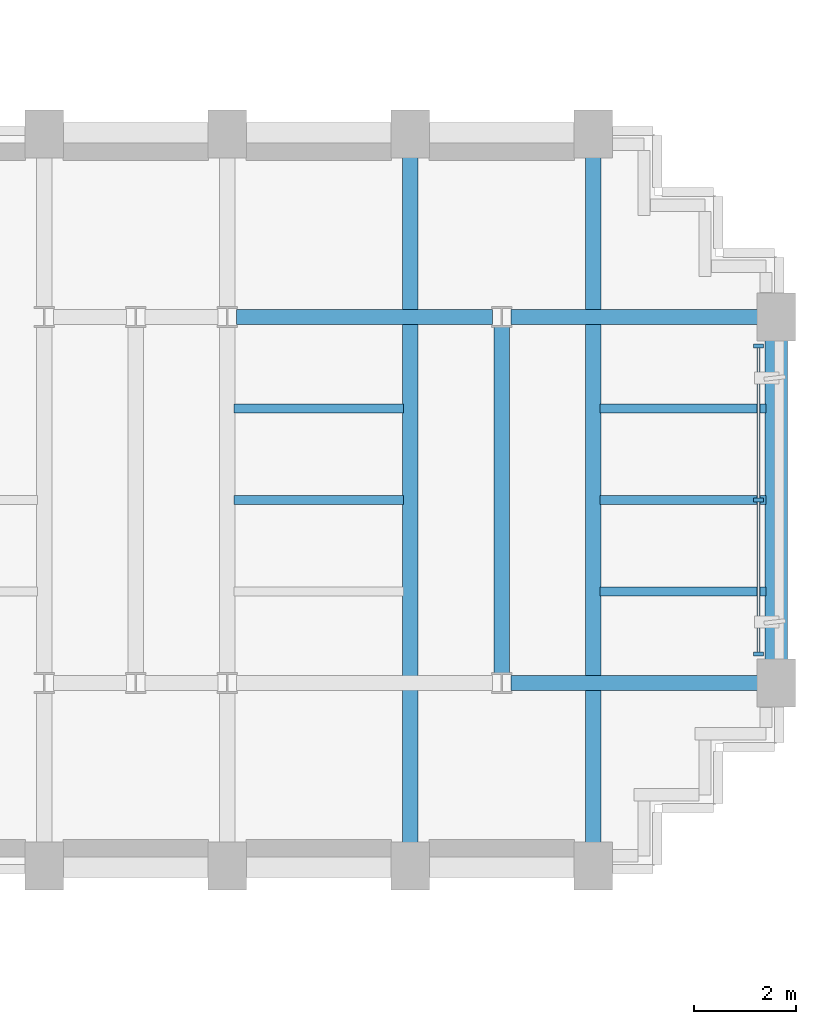
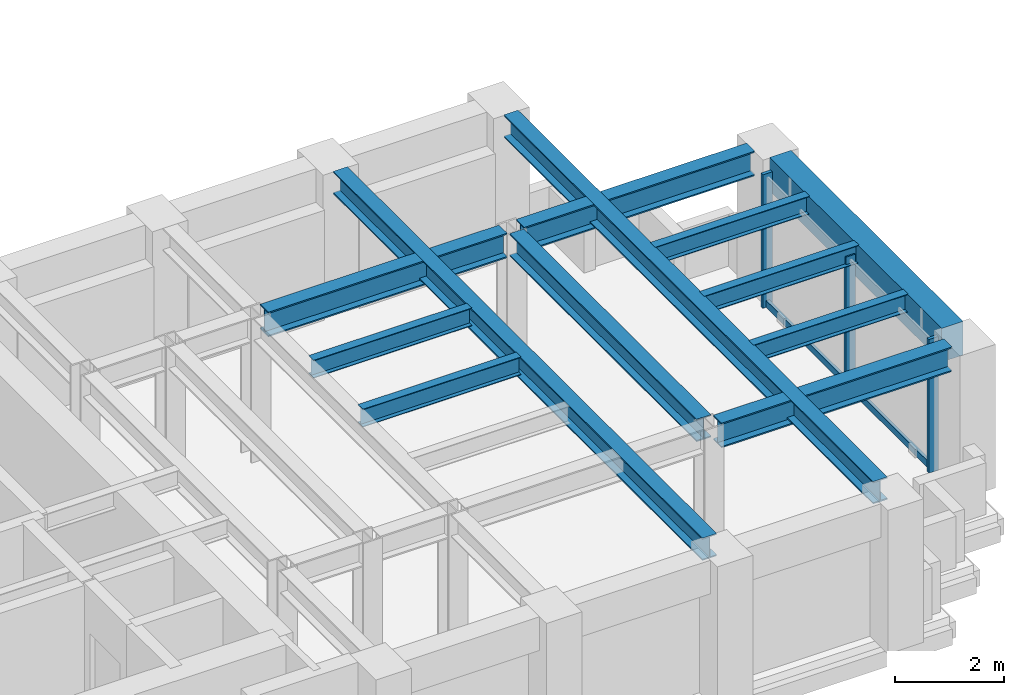
# One storey, part 6 of 16: 12 beams, 5 members, 1 element without a shape of its own.
"""IFC4 building model written with IfcOpenShell, lengths in metres."""

from ifc_helpers import new_model, si_unit, direction, frame, origin, origin_2d, place, context, subcontext, project, spatial, rectangle, i_section, extrude, source, transform, mapped, material, material_profile, profile_set, type_object, element, aggregate, save


model = new_model("IFC4")

# Units and contexts
model_context = context("Model", 3, precision=1e-05, world=origin(), true_north=direction((0.0, 1.0)))
body_context = subcontext(model_context, "Body", "Model", "MODEL_VIEW")
ifc_project = project(units=[si_unit("LENGTHUNIT", "METRE"), si_unit("AREAUNIT", "SQUARE_METRE"), si_unit("VOLUMEUNIT", "CUBIC_METRE"), si_unit("PLANEANGLEUNIT", "RADIAN"), si_unit("MASSUNIT", "GRAM", prefix="KILO")], contexts=[model_context])

# Site, building, storey
site_placement = place(None, origin())
site = spatial("IfcSite", under=ifc_project, at=site_placement, CompositionType="ELEMENT")
building_placement = place(site_placement, origin())
building = spatial("IfcBuilding", under=site, at=building_placement, Name="Keilestroom Media Tower", CompositionType="ELEMENT")
storey_placement = place(building_placement, frame((0.0, 0.0, 64.60009765625)))
storey = spatial("IfcBuildingStorey", under=building, at=storey_placement, Name="L16", CompositionType="ELEMENT", Elevation=64.60009765625)

# Beams
ifc_material_1 = material(Name="Precast concrete C40/50", Category="concrete")
ifc_material_profile_1 = material_profile(ifc_material_1, rectangle(XDim=0.449951171875, YDim=0.75, at=origin_2d()), Name="PC 450x750")
ifc_profile_set_1 = profile_set([ifc_material_profile_1], Name="Precast concrete C40/50")
beam_type_1 = type_object("IfcBeamType", Name="Perimeter-Spandrel-Beam-PC-450x750", PredefinedType="SPANDREL", material=ifc_profile_set_1)
shared_shape_1 = source(origin(), body_context, "Body", "SweptSolid", [
    extrude(rectangle(XDim=0.449951171875, YDim=0.75, at=origin_2d()), origin(), (0.0, 0.0, 1.0), 6.2900390625),
])
beam_1_placement = place(storey_placement, frame((28.800048828125, -3.14501953125, 2.824951171875), z_axis=(0.0, 1.0, 0.0), x_axis=(-1.0, 0.0, 0.0)))
element("IfcBeam", 1, at=beam_1_placement, inside=storey, type_object=beam_type_1, Name="L16 Beam SPB-1 BM-L16-NS-086", PredefinedType="SPANDREL", context=body_context, shape_type="MappedRepresentation", body=[
    mapped(shared_shape_1, transform((0.0, 0.0, 0.0), x_axis=(1.0, 0.0, 0.0), y_axis=(0.0, 1.0, 0.0), z_axis=(0.0, 0.0, 1.0), scale=1.0)),
])
ifc_material_2 = material(Name="Steel S355", Category="steel")
ifc_material_profile_2 = material_profile(ifc_material_2, i_section(OverallWidth=0.300048828125, OverallDepth=0.550048828125, WebThickness=0.012939453125, FlangeThickness=0.029052734375, at=origin_2d()), Name="HEB 550")
ifc_profile_set_2 = profile_set([ifc_material_profile_2], Name="Steel S355")
beam_type_2 = type_object("IfcBeamType", Name="Primary-Structural-Girder-HEB-550", PredefinedType="BEAM", material=ifc_profile_set_2)
shared_shape_2 = source(origin(), body_context, "Body", "SweptSolid", [
    extrude(i_section(OverallWidth=0.300048828125, OverallDepth=0.550048828125, WebThickness=0.012939453125, FlangeThickness=0.029052734375, at=origin_2d()), origin(), (0.0, 0.0, 1.0), 4.863037109375),
])
for number, where, z_axis, x_axis, name in (
    (2, (23.58203125, -3.60009765625, 2.9248046875), (1.0, 0.0, 0.0), (0.0, 1.0, 0.0), "L16 Beam BG-5 BM-L16-EW-025"),
    (3, (23.58203125, 3.60009765625, 2.9248046875), (1.0, 0.0, 0.0), (0.0, 1.0, 0.0), "L16 Beam BG-5 BM-L16-EW-033"),
):
    element("IfcBeam", number, at=place(storey_placement, frame(where, z_axis=z_axis, x_axis=x_axis)), inside=storey, type_object=beam_type_2, Name=name, PredefinedType="BEAM", context=body_context, shape_type="MappedRepresentation", body=[
        mapped(shared_shape_2, transform((0.0, 0.0, 0.0), x_axis=(1.0, 0.0, 0.0), y_axis=(0.0, 1.0, 0.0), z_axis=(0.0, 0.0, 1.0), scale=1.0)),
    ])
shared_shape_3 = source(origin(), body_context, "Body", "SweptSolid", [
    extrude(i_section(OverallWidth=0.300048828125, OverallDepth=0.550048828125, WebThickness=0.012939453125, FlangeThickness=0.029052734375, at=origin_2d()), origin(), (0.0, 0.0, 1.0), 5.0361328125),
])
beam_2_placement = place(storey_placement, frame((18.181884765625, 3.60009765625, 2.9248046875), z_axis=(1.0, 0.0, 0.0), x_axis=(0.0, 1.0, 0.0)))
element("IfcBeam", 4, at=beam_2_placement, inside=storey, type_object=beam_type_2, Name="L16 Beam BG-5 BM-L16-EW-032", PredefinedType="BEAM", context=body_context, shape_type="MappedRepresentation", body=[
    mapped(shared_shape_3, transform((0.0, 0.0, 0.0), x_axis=(1.0, 0.0, 0.0), y_axis=(0.0, 1.0, 0.0), z_axis=(0.0, 0.0, 1.0), scale=1.0)),
])
ifc_material_profile_3 = material_profile(ifc_material_2, i_section(OverallWidth=0.300048828125, OverallDepth=0.5, WebThickness=0.012451171875, FlangeThickness=0.028076171875, at=origin_2d()), Name="HEB 500")
ifc_profile_set_3 = profile_set([ifc_material_profile_3], Name="Steel S355")
beam_type_3 = type_object("IfcBeamType", Name="Primary-Structural-Girder-HEB-500", PredefinedType="BEAM", material=ifc_profile_set_3)
shared_shape_4 = source(origin(), body_context, "Body", "SweptSolid", [
    extrude(i_section(OverallWidth=0.300048828125, OverallDepth=0.5, WebThickness=0.012451171875, FlangeThickness=0.028076171875, at=origin_2d()), origin(), (0.0, 0.0, 1.0), 13.490234375),
])
for number, where, z_axis, x_axis, name in (
    (5, (21.60009765625, -6.7451171875, 2.949951171875), (0.0, 1.0, 0.0), (-1.0, 0.0, 0.0), "L16 Beam BG-6 BM-L16-NS-083"),
    (6, (25.199951171875, -6.7451171875, 2.949951171875), (0.0, 1.0, 0.0), (-1.0, 0.0, 0.0), "L16 Beam BG-6 BM-L16-NS-085"),
):
    element("IfcBeam", number, at=place(storey_placement, frame(where, z_axis=z_axis, x_axis=x_axis)), inside=storey, type_object=beam_type_3, Name=name, PredefinedType="BEAM", context=body_context, shape_type="MappedRepresentation", body=[
        mapped(shared_shape_4, transform((0.0, 0.0, 0.0), x_axis=(1.0, 0.0, 0.0), y_axis=(0.0, 1.0, 0.0), z_axis=(0.0, 0.0, 1.0), scale=1.0)),
    ])
shared_shape_5 = source(origin(), body_context, "Body", "SweptSolid", [
    extrude(i_section(OverallWidth=0.300048828125, OverallDepth=0.5, WebThickness=0.012451171875, FlangeThickness=0.028076171875, at=origin_2d()), origin(), (0.0, 0.0, 1.0), 6.8330078125),
])
beam_3_placement = place(storey_placement, frame((23.39990234375, -3.41650390625, 2.949951171875), z_axis=(0.0, 1.0, 0.0), x_axis=(-1.0, 0.0, 0.0)))
element("IfcBeam", 7, at=beam_3_placement, inside=storey, type_object=beam_type_3, Name="L16 Beam BG-6 BM-L16-NS-084", PredefinedType="BEAM", context=body_context, shape_type="MappedRepresentation", body=[
    mapped(shared_shape_5, transform((0.0, 0.0, 0.0), x_axis=(1.0, 0.0, 0.0), y_axis=(0.0, 1.0, 0.0), z_axis=(0.0, 0.0, 1.0), scale=1.0)),
])
ifc_material_profile_4 = material_profile(ifc_material_2, i_section(OverallWidth=0.179931640625, OverallDepth=0.39990234375, WebThickness=0.008544921875, FlangeThickness=0.013427734375, at=origin_2d()), Name="IPE 400")
ifc_profile_set_4 = profile_set([ifc_material_profile_4], Name="Steel S355")
beam_type_4 = type_object("IfcBeamType", Name="Secondary-Floor-Joist-IPE-400", PredefinedType="JOIST", material=ifc_profile_set_4)
shared_shape_6 = source(origin(), body_context, "Body", "SweptSolid", [
    extrude(i_section(OverallWidth=0.179931640625, OverallDepth=0.39990234375, WebThickness=0.008544921875, FlangeThickness=0.013427734375, at=origin_2d()), origin(), (0.0, 0.0, 1.0), 3.264892578125),
])
for number, where, z_axis, x_axis, name in (
    (8, (25.330078125, -1.800048828125, 3.0), (1.0, 0.0, 0.0), (0.0, 1.0, 0.0), "L16 Beam BJ-4 JST-L16-095"),
    (9, (25.330078125, 0.0, 3.0), (1.0, 0.0, 0.0), (0.0, 1.0, 0.0), "L16 Beam BJ-4 JST-L16-102"),
    (10, (25.330078125, 1.800048828125, 3.0), (1.0, 0.0, 0.0), (0.0, 1.0, 0.0), "L16 Beam BJ-4 JST-L16-109"),
):
    element("IfcBeam", number, at=place(storey_placement, frame(where, z_axis=z_axis, x_axis=x_axis)), inside=storey, type_object=beam_type_4, Name=name, PredefinedType="JOIST", context=body_context, shape_type="MappedRepresentation", body=[
        mapped(shared_shape_6, transform((0.0, 0.0, 0.0), x_axis=(1.0, 0.0, 0.0), y_axis=(0.0, 1.0, 0.0), z_axis=(0.0, 0.0, 1.0), scale=1.0)),
    ])
shared_shape_7 = source(origin(), body_context, "Body", "SweptSolid", [
    extrude(i_section(OverallWidth=0.179931640625, OverallDepth=0.39990234375, WebThickness=0.008544921875, FlangeThickness=0.013427734375, at=origin_2d()), origin(), (0.0, 0.0, 1.0), 3.340087890625),
])
for number, where, z_axis, x_axis, name in (
    (11, (18.1298828125, 0.0, 3.0), (1.0, 0.0, 0.0), (0.0, 1.0, 0.0), "L16 Beam BJ-4 JST-L16-101"),
    (12, (18.1298828125, 1.800048828125, 3.0), (1.0, 0.0, 0.0), (0.0, 1.0, 0.0), "L16 Beam BJ-4 JST-L16-108"),
):
    element("IfcBeam", number, at=place(storey_placement, frame(where, z_axis=z_axis, x_axis=x_axis)), inside=storey, type_object=beam_type_4, Name=name, PredefinedType="JOIST", context=body_context, shape_type="MappedRepresentation", body=[
        mapped(shared_shape_7, transform((0.0, 0.0, 0.0), x_axis=(1.0, 0.0, 0.0), y_axis=(0.0, 1.0, 0.0), z_axis=(0.0, 0.0, 1.0), scale=1.0)),
    ])

# Curtain wall, members
ifc_material_3 = material(Name="Anodised Aluminium Alloy", Category="aluminium")
curtain_wall_type = type_object("IfcCurtainWallType", Name="Unitised-Curtain-Wall-CW-1", PredefinedType="NOTDEFINED", material=ifc_material_3)
curtain_wall_placement = place(storey_placement, origin())
curtain_wall = element("IfcCurtainWall", 13, at=curtain_wall_placement, inside=storey, type_object=curtain_wall_type, Name="L16 Curtain Wall CW-1 CW-L16-E-1", PredefinedType="NOTDEFINED")
ifc_material_profile_5 = material_profile(ifc_material_3, rectangle(XDim=0.070068359375, YDim=0.199951171875, at=origin_2d()), Name="ALU MULLION 70x200")
ifc_profile_set_5 = profile_set([ifc_material_profile_5], Name="Anodised Aluminium Alloy")
member_type_1 = type_object("IfcMemberType", Name="Curtain-Wall-Mullion-CW-1", PredefinedType="MULLION", material=ifc_profile_set_5)
shared_shape_8 = source(origin(), body_context, "Body", "SweptSolid", [
    extrude(rectangle(XDim=0.070068359375, YDim=0.199951171875, at=origin_2d()), origin(), (0.0, 0.0, 1.0), 2.97998046875),
])
member_1_placement = place(storey_placement, frame((28.449951171875, -3.030029296875, 0.0), z_axis=(0.0, 0.0, 1.0), x_axis=(0.0, 1.0, 0.0)))
member_1 = element("IfcMember", 14, at=member_1_placement, type_object=member_type_1, Name="CW-1 Mullion 00", PredefinedType="MULLION", context=body_context, shape_type="MappedRepresentation", body=[
    mapped(shared_shape_8, transform((0.0, 0.0, 0.0), x_axis=(1.0, 0.0, 0.0), y_axis=(0.0, 1.0, 0.0), z_axis=(0.0, 0.0, 1.0), scale=1.0)),
])
member_2_placement = place(storey_placement, frame((28.449951171875, 0.0, 0.0), z_axis=(0.0, 0.0, 1.0), x_axis=(0.0, 1.0, 0.0)))
member_2 = element("IfcMember", 15, at=member_2_placement, type_object=member_type_1, Name="CW-1 Mullion 01", PredefinedType="MULLION", context=body_context, shape_type="MappedRepresentation", body=[
    mapped(shared_shape_8, transform((0.0, 0.0, 0.0), x_axis=(1.0, 0.0, 0.0), y_axis=(0.0, 1.0, 0.0), z_axis=(0.0, 0.0, 1.0), scale=1.0)),
])
member_3_placement = place(storey_placement, frame((28.449951171875, 3.030029296875, 0.0), z_axis=(0.0, 0.0, 1.0), x_axis=(0.0, 1.0, 0.0)))
member_3 = element("IfcMember", 16, at=member_3_placement, type_object=member_type_1, Name="CW-1 Mullion 02", PredefinedType="MULLION", context=body_context, shape_type="MappedRepresentation", body=[
    mapped(shared_shape_8, transform((0.0, 0.0, 0.0), x_axis=(1.0, 0.0, 0.0), y_axis=(0.0, 1.0, 0.0), z_axis=(0.0, 0.0, 1.0), scale=1.0)),
])
ifc_material_profile_6 = material_profile(ifc_material_3, rectangle(XDim=0.06494140625, YDim=0.14990234375, at=origin_2d()), Name="ALU TRANSOM 65x150")
ifc_profile_set_6 = profile_set([ifc_material_profile_6], Name="Anodised Aluminium Alloy")
member_type_2 = type_object("IfcMemberType", Name="Curtain-Wall-Transom-CW-1", PredefinedType="USERDEFINED", material=ifc_profile_set_6)
shared_shape_9 = source(origin(), body_context, "Body", "SweptSolid", [
    extrude(rectangle(XDim=0.06494140625, YDim=0.14990234375, at=origin_2d()), origin(), (0.0, 0.0, 1.0), 2.964111328125),
])
member_4_placement = place(storey_placement, frame((28.449951171875, -2.9970703125, 0.074951171875), z_axis=(0.0, 1.0, 0.0), x_axis=(-1.0, 0.0, 0.0)))
member_4 = element("IfcMember", 17, at=member_4_placement, type_object=member_type_2, Name="CW-1 Transom 00.1", ObjectType="TRANSOM", PredefinedType="USERDEFINED", context=body_context, shape_type="MappedRepresentation", body=[
    mapped(shared_shape_9, transform((0.0, 0.0, 0.0), x_axis=(1.0, 0.0, 0.0), y_axis=(0.0, 1.0, 0.0), z_axis=(0.0, 0.0, 1.0), scale=1.0)),
])
member_5_placement = place(storey_placement, frame((28.449951171875, 0.032958984375, 0.074951171875), z_axis=(0.0, 1.0, 0.0), x_axis=(-1.0, 0.0, 0.0)))
member_5 = element("IfcMember", 18, at=member_5_placement, type_object=member_type_2, Name="CW-1 Transom 01.1", ObjectType="TRANSOM", PredefinedType="USERDEFINED", context=body_context, shape_type="MappedRepresentation", body=[
    mapped(shared_shape_9, transform((0.0, 0.0, 0.0), x_axis=(1.0, 0.0, 0.0), y_axis=(0.0, 1.0, 0.0), z_axis=(0.0, 0.0, 1.0), scale=1.0)),
])
aggregate(curtain_wall, [member_1, member_2, member_3, member_4, member_5])

save(model, "model.ifc")
